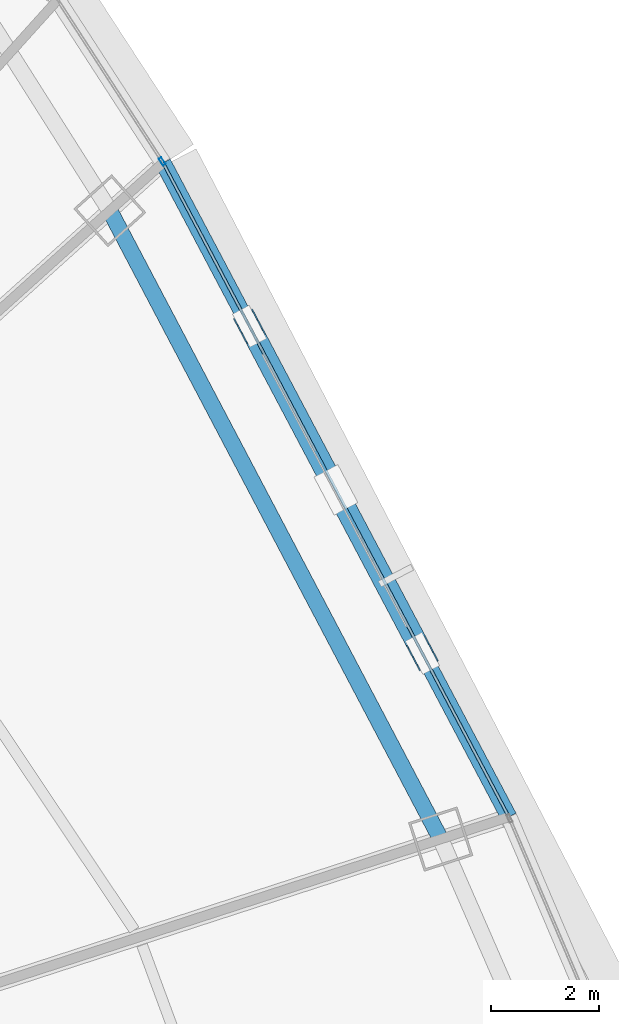
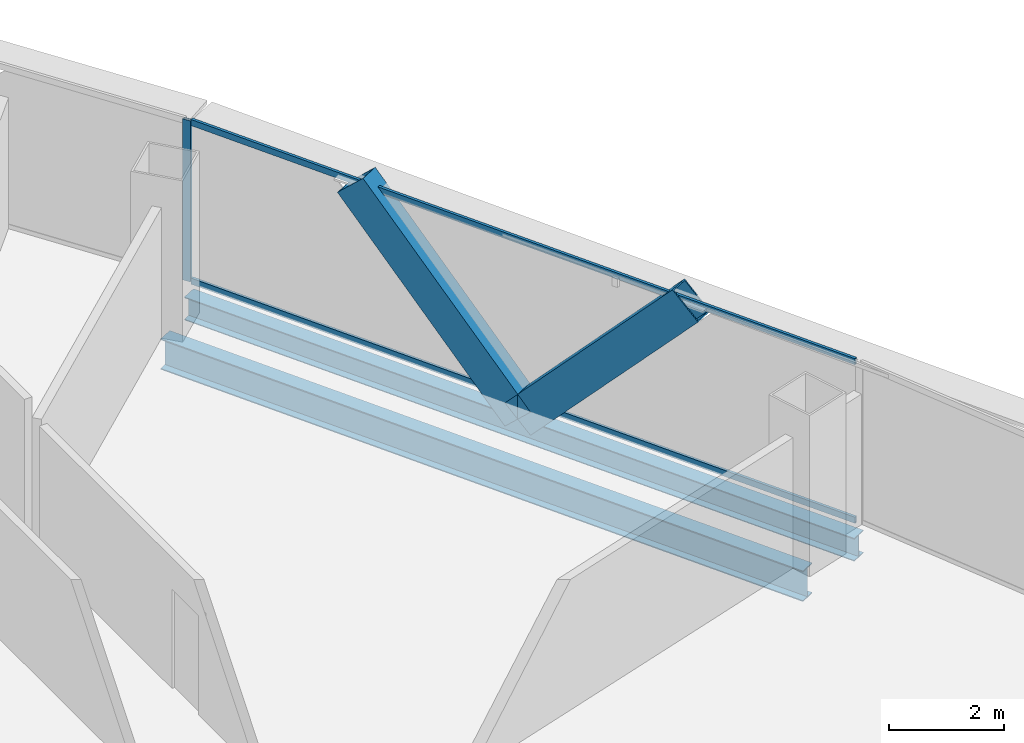
# One storey, part 29 of 42: 5 members, 2 beams, 2 elements without a shape of their own.
"""IFC4 building model written with IfcOpenShell, lengths in metres."""

from ifc_helpers import new_model, si_unit, direction, frame, origin, origin_2d, place, context, subcontext, project, spatial, hollow_rectangle, i_section, extrude, source, transform, mapped, material, layer, layer_set, material_profile, profile_set, type_object, element, aggregate, save


model = new_model("IFC4")

# Units and contexts
model_context = context("Model", 3, precision=1e-05, world=origin(), true_north=direction((0.0, 1.0)))
body_context = subcontext(model_context, "Body", "Model", "MODEL_VIEW")
ifc_project = project(units=[si_unit("LENGTHUNIT", "METRE"), si_unit("AREAUNIT", "SQUARE_METRE"), si_unit("VOLUMEUNIT", "CUBIC_METRE"), si_unit("PLANEANGLEUNIT", "RADIAN"), si_unit("MASSUNIT", "GRAM", prefix="KILO"), si_unit("THERMODYNAMICTEMPERATUREUNIT", "KELVIN"), si_unit("POWERUNIT", "WATT")], contexts=[model_context])

# Site, building, storey
site_placement = place(None, origin())
site = spatial("IfcSite", under=ifc_project, at=site_placement, CompositionType="ELEMENT")
building_placement = place(site_placement, origin())
building = spatial("IfcBuilding", under=site, at=building_placement, Name="Yunzhuo Pagoda Commons", CompositionType="ELEMENT")
storey_placement = place(building_placement, frame((0.0, 0.0, 151.909912109375)))
storey = spatial("IfcBuildingStorey", under=building, at=storey_placement, Name="L38", CompositionType="ELEMENT", Elevation=151.909912109375)

# Beams
ifc_material_1 = material(Name="Structural steel Q355B", Category="steel")
ifc_material_profile_1 = material_profile(ifc_material_1, i_section(OverallWidth=0.300048828125, OverallDepth=0.64990234375, WebThickness=0.012939453125, FlangeThickness=0.02197265625, at=origin_2d()), Name="Structural steel Q355B")
ifc_profile_set_1 = profile_set([ifc_material_profile_1], Name="Structural steel Q355B")
beam_type_1 = type_object("IfcBeamType", Name="B-RG2 Beam HN 650x300x13x22", PredefinedType="BEAM", material=ifc_profile_set_1)
shared_shape_1 = source(origin(), body_context, "Body", "SweptSolid", [
    extrude(i_section(OverallWidth=0.300048828125, OverallDepth=0.64990234375, WebThickness=0.012939453125, FlangeThickness=0.02197265625, at=origin_2d()), origin(), (0.0, 0.0, 1.0), 13.198974609375),
])
beam_1_placement = place(storey_placement, frame((77.915283203125, 43.420166015625, -0.5849609375), z_axis=(-0.465885937554, 0.884844784801, 0.0), x_axis=(-0.884844784801, -0.465885937554, 0.0)))
element("IfcBeam", 1, at=beam_1_placement, inside=storey, type_object=beam_type_1, Name="L38 column-ring beam 6", PredefinedType="BEAM", context=body_context, shape_type="MappedRepresentation", body=[
    mapped(shared_shape_1, transform((0.0, 0.0, 0.0), scale=1.0)),
])
ifc_material_profile_2 = material_profile(ifc_material_1, i_section(OverallWidth=0.300048828125, OverallDepth=0.488037109375, WebThickness=0.010986328125, FlangeThickness=0.01806640625, at=origin_2d()), Name="Structural steel Q355B")
ifc_profile_set_2 = profile_set([ifc_material_profile_2], Name="Structural steel Q355B")
beam_type_2 = type_object("IfcBeamType", Name="B-SP1 Beam HM 488x300x11x18", PredefinedType="BEAM", material=ifc_profile_set_2)
shared_shape_2 = source(origin(), body_context, "Body", "SweptSolid", [
    extrude(i_section(OverallWidth=0.300048828125, OverallDepth=0.488037109375, WebThickness=0.010986328125, FlangeThickness=0.01806640625, at=origin_2d()), origin(), (0.0, 0.0, 1.0), 13.75244140625),
])
beam_2_placement = place(storey_placement, frame((79.182861328125, 43.831787109375, -0.50390625), z_axis=(-0.467350934474, 0.884071888506, 0.0), x_axis=(-0.884071888506, -0.467350934474, 0.0)))
element("IfcBeam", 2, at=beam_2_placement, inside=storey, type_object=beam_type_2, Name="L38 facade edge spandrel beam F2.2", PredefinedType="BEAM", context=body_context, shape_type="MappedRepresentation", body=[
    mapped(shared_shape_2, transform((0.0, 0.0, 0.0), scale=1.0)),
])

# Members
ifc_material_profile_3 = material_profile(ifc_material_1, hollow_rectangle(XDim=0.39990234375, YDim=0.719970703125, WallThickness=0.02392578125, at=origin_2d()), Name="Structural steel Q355B")
ifc_profile_set_3 = profile_set([ifc_material_profile_3], Name="Structural steel Q355B")
member_type_1 = type_object("IfcMemberType", Name="M-DL2 Brace BOX 720x400x24", PredefinedType="BRACE", material=ifc_profile_set_3)
shared_shape_3 = source(origin(), body_context, "Body", "SweptSolid", [
    extrude(hollow_rectangle(XDim=0.39990234375, YDim=0.719970703125, WallThickness=0.02392578125, at=origin_2d()), origin(), (0.0, 0.0, 1.0), 5.036376953125),
])
for number, where, z_axis, x_axis, name in (
    (3, (75.968994140625, 49.910888671875, -0.260009765625), (0.319067245681, -0.603522821138, 0.730723132999), (0.884057218692, 0.467378683809, 0.0), "L38 facade diamond brace F2.2L"),
    (4, (75.968994140625, 49.910888671875, -0.260009765625), (-0.319014370283, 0.60356297286, 0.730713055409), (-0.884102064629, -0.467293846866, 0.0), "L38 facade diamond brace F2.2R"),
):
    element("IfcMember", number, at=place(storey_placement, frame(where, z_axis=z_axis, x_axis=x_axis)), inside=storey, type_object=member_type_1, Name=name, PredefinedType="BRACE", context=body_context, shape_type="MappedRepresentation", body=[
        mapped(shared_shape_3, transform((0.0, 0.0, 0.0), scale=1.0)),
    ])

# Curtain wall, member
ifc_material_2 = material(Name="Anodized aluminium 6063-T6", Category="aluminium")
ifc_layer = layer(ifc_material_2, 0.14990234375)
ifc_layer_set = layer_set([ifc_layer], Name="Anodized aluminium 6063-T6")
curtain_wall_type = type_object("IfcCurtainWallType", Name="CW-MID Mid-Zone Ribbon Curtain Wall", PredefinedType="NOTDEFINED", material=ifc_layer_set)
curtain_wall_1_placement = place(storey_placement, origin())
curtain_wall_1 = element("IfcCurtainWall", 5, at=curtain_wall_1_placement, inside=storey, type_object=curtain_wall_type, Name="L38 curtain wall CW-L38-F2B4", PredefinedType="NOTDEFINED")
ifc_material_profile_4 = material_profile(ifc_material_2, hollow_rectangle(XDim=0.06005859375, YDim=0.14990234375, WallThickness=0.00390625, at=origin_2d()), Name="Anodized aluminium 6063-T6")
ifc_profile_set_4 = profile_set([ifc_material_profile_4], Name="Anodized aluminium 6063-T6")
member_type_2 = type_object("IfcMemberType", Name="CW-MID-M Mullion RHS 150x60x4", PredefinedType="MULLION", material=ifc_profile_set_4)
shared_shape_4 = source(origin(), body_context, "Body", "SweptSolid", [
    extrude(hollow_rectangle(XDim=0.06005859375, YDim=0.14990234375, WallThickness=0.00390625, at=origin_2d()), origin(), (0.0, 0.0, 1.0), 3.420166015625),
])
member_1_placement = place(storey_placement, frame((72.7392578125, 56.01513671875, 0.0), z_axis=(0.0, 0.0, 1.0), x_axis=(-0.839392571637, -0.543525630197, 0.0)))
member_1 = element("IfcMember", 6, at=member_1_placement, type_object=member_type_2, Name="CW mullion 1", PredefinedType="MULLION", context=body_context, shape_type="MappedRepresentation", body=[
    mapped(shared_shape_4, transform((0.0, 0.0, 0.0), scale=1.0)),
])
aggregate(curtain_wall_1, [member_1])

# Curtain wall, members
curtain_wall_2_placement = place(storey_placement, origin())
curtain_wall_2 = element("IfcCurtainWall", 7, at=curtain_wall_2_placement, inside=storey, type_object=curtain_wall_type, Name="L38 curtain wall CW-L38-F2B3", PredefinedType="NOTDEFINED")
ifc_material_profile_5 = material_profile(ifc_material_2, hollow_rectangle(XDim=0.054931640625, YDim=0.1298828125, WallThickness=0.00341796875, at=origin_2d()), Name="Anodized aluminium 6063-T6")
ifc_profile_set_5 = profile_set([ifc_material_profile_5], Name="Anodized aluminium 6063-T6")
member_type_3 = type_object("IfcMemberType", Name="CW-MID-T Transom RHS 130x55x3.5", PredefinedType="USERDEFINED", material=ifc_profile_set_5)
shared_shape_5 = source(origin(), body_context, "Body", "SweptSolid", [
    extrude(hollow_rectangle(XDim=0.054931640625, YDim=0.1298828125, WallThickness=0.00341796875, at=origin_2d()), origin(), (0.0, 0.0, 1.0), 13.632568359375),
])
member_2_placement = place(storey_placement, frame((79.15478515625, 43.885009765625, 0.027587890625), z_axis=(-0.467364316049, 0.884064814414, 0.0), x_axis=(-0.884064814414, -0.467364316049, 0.0)))
member_2 = element("IfcMember", 8, at=member_2_placement, type_object=member_type_3, Name="CW transom 1.1", ObjectType="TRANSOM", PredefinedType="USERDEFINED", context=body_context, shape_type="MappedRepresentation", body=[
    mapped(shared_shape_5, transform((0.0, 0.0, 0.0), scale=1.0)),
])
member_3_placement = place(storey_placement, frame((79.15478515625, 43.885009765625, 3.392578125), z_axis=(-0.467364316049, 0.884064814414, 0.0), x_axis=(-0.884064814414, -0.467364316049, 0.0)))
member_3 = element("IfcMember", 9, at=member_3_placement, type_object=member_type_3, Name="CW transom 1.2", ObjectType="TRANSOM", PredefinedType="USERDEFINED", context=body_context, shape_type="MappedRepresentation", body=[
    mapped(shared_shape_5, transform((0.0, 0.0, 0.0), scale=1.0)),
])
aggregate(curtain_wall_2, [member_2, member_3])

save(model, "model.ifc")
